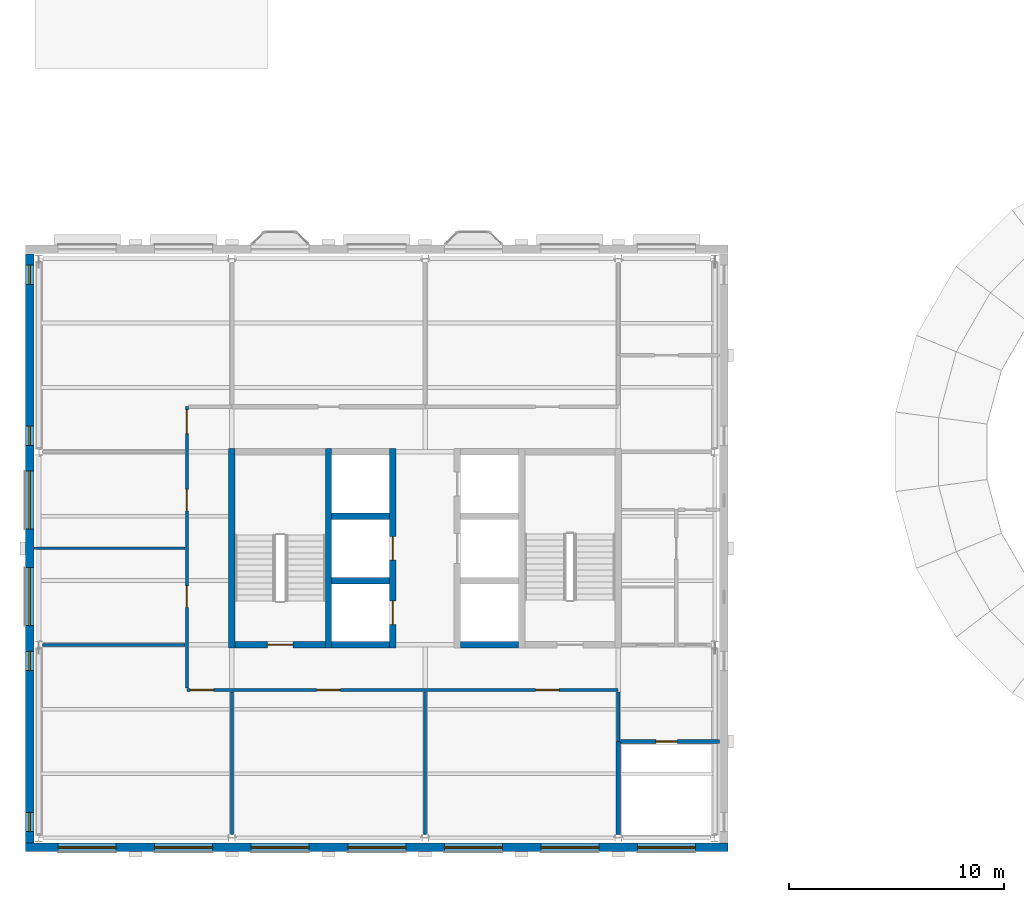
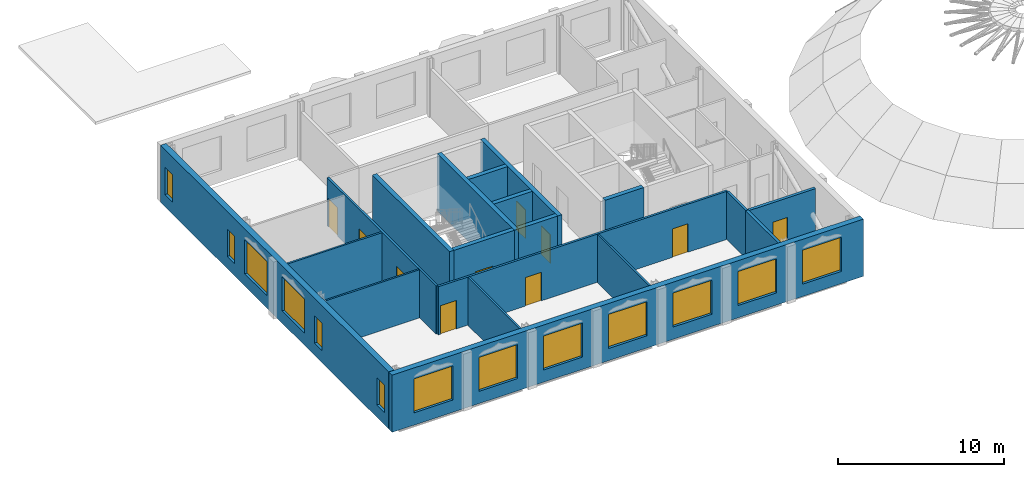
# One storey, part 8 of 15: 19 walls, 13 windows, 10 doors, 23 openings.
"""IFC4 building model written with IfcOpenShell, lengths in metres."""

from ifc_helpers import new_model, si_unit, direction, frame, frame_2d, origin, place, context, subcontext, project, spatial, rectangle, extrude, material, layer, layer_set, type_object, element, fill, save


model = new_model("IFC4")

# Units and contexts
model_context = context("Model", 3, precision=1e-05, world=origin(), true_north=direction((0.0, 1.0)))
body_context = subcontext(model_context, "Body", "Model", "MODEL_VIEW")
ifc_project = project(units=[si_unit("LENGTHUNIT", "METRE"), si_unit("AREAUNIT", "SQUARE_METRE"), si_unit("VOLUMEUNIT", "CUBIC_METRE"), si_unit("PLANEANGLEUNIT", "RADIAN"), si_unit("MASSUNIT", "GRAM", prefix="KILO")], contexts=[model_context])

# Site, building, storey
site_placement = place(None, origin())
site = spatial("IfcSite", under=ifc_project, at=site_placement, CompositionType="ELEMENT")
building_placement = place(site_placement, origin())
building = spatial("IfcBuilding", under=site, at=building_placement, Name="Hortulan Conservatory and Botanical Research Centre", CompositionType="ELEMENT")
storey_placement = place(building_placement, frame((0.0, 0.0, 23.39990234375)))
storey = spatial("IfcBuildingStorey", under=building, at=storey_placement, Name="L05", CompositionType="ELEMENT", Elevation=23.39990234375)

# Wall
ifc_material_1 = material(Name="Fire-rated plasterboard on steel studs", Category="steel")
ifc_layer_1 = layer(ifc_material_1, 0.199951171875)
ifc_layer_set_1 = layer_set([ifc_layer_1], Name="Compartment Partition 200")
wall_type_1 = type_object("IfcWallType", Name="Compartment Partition 200", PredefinedType="PARTITIONING", material=ifc_layer_set_1)
wall_1_placement = place(storey_placement, frame((27.0, 0.173583984375, 0.0), z_axis=(0.0, 0.0, 1.0), x_axis=(0.0, 1.0, 0.0)))
element("IfcWall", 1, at=wall_1_placement, inside=storey, type_object=wall_type_1, Name="Riser wall", PredefinedType="PARTITIONING", context=body_context, shape_type="SweptSolid", body=[
    extrude(rectangle(XDim=4.326416015625, YDim=0.199951171875, at=frame_2d((2.1630859375, 0.0))), origin(), (0.0, 0.0, 1.0), 3.537109375),
])

# Wall, opening, door
wall_2_placement = place(storey_placement, frame((27.110107421875, 4.5, 0.0), z_axis=(0.0, 0.0, 1.0), x_axis=(1.0, 0.0, 0.0)))
wall_2 = element("IfcWall", 2, at=wall_2_placement, inside=storey, type_object=wall_type_1, Name="Riser wall", PredefinedType="PARTITIONING", context=body_context, shape_type="SweptSolid", body=[
    extrude(rectangle(XDim=4.60498046875, YDim=0.199951171875, at=frame_2d((2.302490234375, 0.0))), origin(), (0.0, 0.0, 1.0), 3.537109375),
])
opening_1_placement = place(wall_2_placement, frame((1.639892578125, 0.0, 0.0)))
opening_1 = element("IfcOpeningElement", 3, at=opening_1_placement, cuts=wall_2, Name="Opening DT6", PredefinedType="OPENING", context=body_context, shape_type="SweptSolid", body=[
    extrude(rectangle(XDim=1.0, YDim=2.10009765625, at=frame_2d((0.5, 1.050048828125))), frame((0.0, 0.10986328125, 0.0), z_axis=(0.0, -1.0, 0.0), x_axis=(1.0, 0.0, 0.0)), (0.0, 0.0, 1.0), 0.219970703125),
])
ifc_material_2 = material(Name="Steel door leaf, insulated", Category="steel")
door_type_1 = type_object("IfcDoorType", Name="Fire Door 1000x2100 FRL -/120/30", OperationType="NOTDEFINED", PredefinedType="DOOR", material=ifc_material_2)
door_1_placement = place(opening_1_placement, frame((1.0, 0.0, 0.0), z_axis=(0.0, 0.0, 1.0), x_axis=(-1.0, 0.0, 0.0)))
door_1 = element("IfcDoor", 4, at=door_1_placement, inside=storey, type_object=door_type_1, Name="Door DT6 Services Riser", OperationType="SINGLE_SWING_LEFT", OverallHeight=2.10009765625, OverallWidth=1.0, PredefinedType="DOOR", context=body_context, shape_type="SweptSolid", body=[
    extrude(rectangle(XDim=1.0, YDim=2.10009765625, at=frame_2d((0.5, 1.050048828125))), frame((0.0, 0.02490234375, 0.0), z_axis=(0.0, -1.0, 0.0), x_axis=(1.0, 0.0, 0.0)), (0.0, 0.0, 1.0), 0.050048828125),
])
fill(opening_1, door_1)

# Walls
ifc_material_3 = material(Name="Concrete N50 (50 MPa, AS 3600)", Category="concrete")
ifc_layer_2 = layer(ifc_material_3, 0.300048828125)
ifc_layer_set_2 = layer_set([ifc_layer_2], Name="Core Wall 300 N50 FRL 240/120/120")
wall_type_2 = type_object("IfcWallType", Name="Core Wall 300 N50 FRL 240/120/120", PredefinedType="SHEAR", material=ifc_layer_set_2)
for number, where, z_axis, x_axis, name in (
    (5, (9.0, 8.85009765625, 0.0), (0.0, 0.0, 1.0), (0.0, 1.0, 0.0), "Reinforced concrete shaft wall"),
    (6, (13.5, 8.85009765625, 0.0), (0.0, 0.0, 1.0), (0.0, 1.0, 0.0), "Reinforced concrete shaft wall"),
):
    element("IfcWall", number, at=place(storey_placement, frame(where, z_axis=z_axis, x_axis=x_axis)), inside=storey, type_object=wall_type_2, Name=name, PredefinedType="SHEAR", context=body_context, shape_type="SweptSolid", body=[
        extrude(rectangle(XDim=9.2998046875, YDim=0.300048828125, at=frame_2d((4.64990234375, 0.0))), origin(), (0.0, 0.0, 1.0), 4.2001953125),
    ])

# Wall, openings, doors
wall_3_placement = place(storey_placement, frame((16.5, 8.85009765625, 0.0), z_axis=(0.0, 0.0, 1.0), x_axis=(0.0, 1.0, 0.0)))
wall_3 = element("IfcWall", 7, at=wall_3_placement, inside=storey, type_object=wall_type_2, Name="Reinforced concrete shaft wall", PredefinedType="SHEAR", context=body_context, shape_type="SweptSolid", body=[
    extrude(rectangle(XDim=9.2998046875, YDim=0.300048828125, at=frame_2d((4.64990234375, 0.0))), origin(), (0.0, 0.0, 1.0), 4.2001953125),
])
opening_2_placement = place(wall_3_placement, frame((1.10009765625, 0.0, 0.0)))
opening_2 = element("IfcOpeningElement", 8, at=opening_2_placement, cuts=wall_3, Name="Opening LD1", PredefinedType="OPENING", context=body_context, shape_type="SweptSolid", body=[
    extrude(rectangle(XDim=1.10009765625, YDim=2.10009765625, at=frame_2d((0.550048828125, 1.050048828125))), frame((0.0, 0.159912109375, 0.0), z_axis=(0.0, -1.0, 0.0), x_axis=(1.0, 0.0, 0.0)), (0.0, 0.0, 1.0), 0.320068359375),
])
opening_3_placement = place(wall_3_placement, frame((4.10009765625, 0.0, 0.0)))
opening_3 = element("IfcOpeningElement", 9, at=opening_3_placement, cuts=wall_3, Name="Opening LD1", PredefinedType="OPENING", context=body_context, shape_type="SweptSolid", body=[
    extrude(rectangle(XDim=1.10009765625, YDim=2.10009765625, at=frame_2d((0.550048828125, 1.050048828125))), frame((0.0, 0.159912109375, 0.0), z_axis=(0.0, -1.0, 0.0), x_axis=(1.0, 0.0, 0.0)), (0.0, 0.0, 1.0), 0.320068359375),
])
ifc_material_4 = material(Name="Stainless steel door leaves in steel frame", Category="steel")
door_type_2 = type_object("IfcDoorType", Name="Lift Landing Door 1100x2100", OperationType="DOUBLE_DOOR_SLIDING", PredefinedType="DOOR", material=ifc_material_4)
door_2_placement = place(opening_2_placement, origin())
door_2 = element("IfcDoor", 10, at=door_2_placement, inside=storey, type_object=door_type_2, Name="Lift LP1 landing door L05", OperationType="DOUBLE_DOOR_SLIDING", OverallHeight=2.10009765625, OverallWidth=1.10009765625, PredefinedType="DOOR", context=body_context, shape_type="SweptSolid", body=[
    extrude(rectangle(XDim=1.10009765625, YDim=2.10009765625, at=frame_2d((0.550048828125, 1.050048828125))), frame((0.0, 0.02490234375, 0.0), z_axis=(0.0, -1.0, 0.0), x_axis=(1.0, 0.0, 0.0)), (0.0, 0.0, 1.0), 0.050048828125),
])
fill(opening_2, door_2)
door_3_placement = place(opening_3_placement, origin())
door_3 = element("IfcDoor", 11, at=door_3_placement, inside=storey, type_object=door_type_2, Name="Lift LP2 landing door L05", OperationType="DOUBLE_DOOR_SLIDING", OverallHeight=2.10009765625, OverallWidth=1.10009765625, PredefinedType="DOOR", context=body_context, shape_type="SweptSolid", body=[
    extrude(rectangle(XDim=1.10009765625, YDim=2.10009765625, at=frame_2d((0.550048828125, 1.050048828125))), frame((0.0, 0.02490234375, 0.0), z_axis=(0.0, -1.0, 0.0), x_axis=(1.0, 0.0, 0.0)), (0.0, 0.0, 1.0), 0.050048828125),
])
fill(opening_3, door_3)

# Wall, opening, door
wall_4_placement = place(storey_placement, frame((9.14990234375, 9.0, 0.0), z_axis=(0.0, 0.0, 1.0), x_axis=(1.0, 0.0, 0.0)))
wall_4 = element("IfcWall", 12, at=wall_4_placement, inside=storey, type_object=wall_type_2, Name="Reinforced concrete shaft wall", PredefinedType="SHEAR", context=body_context, shape_type="SweptSolid", body=[
    extrude(rectangle(XDim=4.2001953125, YDim=0.300048828125, at=frame_2d((2.10009765625, 0.0))), origin(), (0.0, 0.0, 1.0), 4.2001953125),
])
opening_4_placement = place(wall_4_placement, frame((1.5, 0.0, 0.0)))
opening_4 = element("IfcOpeningElement", 13, at=opening_4_placement, cuts=wall_4, Name="Opening DT5", PredefinedType="OPENING", context=body_context, shape_type="SweptSolid", body=[
    extrude(rectangle(XDim=1.199951171875, YDim=2.10009765625, at=frame_2d((0.60009765625, 1.050048828125))), frame((0.0, 0.159912109375, 0.0), z_axis=(0.0, -1.0, 0.0), x_axis=(1.0, 0.0, 0.0)), (0.0, 0.0, 1.0), 0.320068359375),
])
door_type_3 = type_object("IfcDoorType", Name="Stair Door 1200x2100 FRL -/120/30", OperationType="NOTDEFINED", PredefinedType="DOOR", material=ifc_material_2)
door_4_placement = place(opening_4_placement, origin())
door_4 = element("IfcDoor", 14, at=door_4_placement, inside=storey, type_object=door_type_3, Name="Door DT5 Exit Stair T1", OperationType="SINGLE_SWING_RIGHT", OverallHeight=2.10009765625, OverallWidth=1.199951171875, PredefinedType="DOOR", context=body_context, shape_type="SweptSolid", body=[
    extrude(rectangle(XDim=1.199951171875, YDim=2.10009765625, at=frame_2d((0.60009765625, 1.050048828125))), frame((0.0, 0.02490234375, 0.0), z_axis=(0.0, -1.0, 0.0), x_axis=(1.0, 0.0, 0.0)), (0.0, 0.0, 1.0), 0.050048828125),
])
fill(opening_4, door_4)

# Walls
for number, where, z_axis, x_axis, name in (
    (15, (13.64990234375, 9.0, 0.0), (0.0, 0.0, 1.0), (1.0, 0.0, 0.0), "Reinforced concrete shaft wall"),
    (16, (19.64990234375, 9.0, 0.0), (0.0, 0.0, 1.0), (1.0, 0.0, 0.0), "Reinforced concrete shaft wall"),
    (17, (13.64990234375, 12.0, 0.0), (0.0, 0.0, 1.0), (1.0, 0.0, 0.0), "Reinforced concrete shaft wall"),
    (18, (13.64990234375, 15.0, 0.0), (0.0, 0.0, 1.0), (1.0, 0.0, 0.0), "Reinforced concrete shaft wall"),
):
    element("IfcWall", number, at=place(storey_placement, frame(where, z_axis=z_axis, x_axis=x_axis)), inside=storey, type_object=wall_type_2, Name=name, PredefinedType="SHEAR", context=body_context, shape_type="SweptSolid", body=[
        extrude(rectangle(XDim=2.7001953125, YDim=0.300048828125, at=frame_2d((1.35009765625, 0.0))), origin(), (0.0, 0.0, 1.0), 4.2001953125),
    ])

# Wall, openings, doors
ifc_material_5 = material(Name="Plasterboard on steel studs", Category="steel")
ifc_layer_3 = layer(ifc_material_5, 0.14990234375)
ifc_layer_set_3 = layer_set([ifc_layer_3], Name="Corridor Partition 150")
wall_type_3 = type_object("IfcWallType", Name="Corridor Partition 150", PredefinedType="PARTITIONING", material=ifc_layer_set_3)
wall_5_placement = place(storey_placement, frame((6.89990234375, 6.985107421875, 0.0), z_axis=(0.0, 0.0, 1.0), x_axis=(0.0, 1.0, 0.0)))
wall_5 = element("IfcWall", 19, at=wall_5_placement, inside=storey, type_object=wall_type_3, Name="Corridor partition", PredefinedType="PARTITIONING", context=body_context, shape_type="SweptSolid", body=[
    extrude(rectangle(XDim=13.114990234375, YDim=0.14990234375, at=frame_2d((6.5576171875, 0.0))), origin(), (0.0, 0.0, 1.0), 3.537109375),
])
opening_5_placement = place(wall_5_placement, frame((11.864990234375, 0.0, 0.0)))
opening_5 = element("IfcOpeningElement", 20, at=opening_5_placement, cuts=wall_5, Name="Opening DT3", PredefinedType="OPENING", context=body_context, shape_type="SweptSolid", body=[
    extrude(rectangle(XDim=1.10009765625, YDim=2.10009765625, at=frame_2d((0.550048828125, 1.050048828125))), frame((0.0, 0.0849609375, 0.0), z_axis=(0.0, -1.0, 0.0), x_axis=(1.0, 0.0, 0.0)), (0.0, 0.0, 1.0), 0.169921875),
])
opening_6_placement = place(wall_5_placement, frame((3.764892578125, 0.0, 0.0)))
opening_6 = element("IfcOpeningElement", 21, at=opening_6_placement, cuts=wall_5, Name="Opening DT1", PredefinedType="OPENING", context=body_context, shape_type="SweptSolid", body=[
    extrude(rectangle(XDim=1.0, YDim=2.10009765625, at=frame_2d((0.5, 1.050048828125))), frame((0.0, 0.0849609375, 0.0), z_axis=(0.0, -1.0, 0.0), x_axis=(1.0, 0.0, 0.0)), (0.0, 0.0, 1.0), 0.169921875),
])
opening_7_placement = place(wall_5_placement, frame((8.264892578125, 0.0, 0.0)))
opening_7 = element("IfcOpeningElement", 22, at=opening_7_placement, cuts=wall_5, Name="Opening DT1", PredefinedType="OPENING", context=body_context, shape_type="SweptSolid", body=[
    extrude(rectangle(XDim=1.0, YDim=2.10009765625, at=frame_2d((0.5, 1.050048828125))), frame((0.0, 0.0849609375, 0.0), z_axis=(0.0, -1.0, 0.0), x_axis=(1.0, 0.0, 0.0)), (0.0, 0.0, 1.0), 0.169921875),
])
ifc_material_6 = material(Name="Timber door leaf with vision panel", Category="wood")
door_type_4 = type_object("IfcDoorType", Name="Laboratory Door 1100x2100", OperationType="NOTDEFINED", PredefinedType="DOOR", material=ifc_material_6)
door_5_placement = place(opening_5_placement, origin())
door_5 = element("IfcDoor", 23, at=door_5_placement, inside=storey, type_object=door_type_4, Name="Door DT3 Growth Chamber Room", OperationType="SINGLE_SWING_RIGHT", OverallHeight=2.10009765625, OverallWidth=1.10009765625, PredefinedType="DOOR", context=body_context, shape_type="SweptSolid", body=[
    extrude(rectangle(XDim=1.10009765625, YDim=2.10009765625, at=frame_2d((0.550048828125, 1.050048828125))), frame((0.0, 0.02490234375, 0.0), z_axis=(0.0, -1.0, 0.0), x_axis=(1.0, 0.0, 0.0)), (0.0, 0.0, 1.0), 0.050048828125),
])
fill(opening_5, door_5)
ifc_material_7 = material(Name="Timber door leaf in timber frame", Category="wood")
door_type_5 = type_object("IfcDoorType", Name="Single Door 1000x2100", OperationType="NOTDEFINED", PredefinedType="DOOR", material=ifc_material_7)
door_6_placement = place(opening_6_placement, origin())
door_6 = element("IfcDoor", 24, at=door_6_placement, inside=storey, type_object=door_type_5, Name="Door DT1 Staff Meeting Room", OperationType="SINGLE_SWING_LEFT", OverallHeight=2.10009765625, OverallWidth=1.0, PredefinedType="DOOR", context=body_context, shape_type="SweptSolid", body=[
    extrude(rectangle(XDim=1.0, YDim=2.10009765625, at=frame_2d((0.5, 1.050048828125))), frame((0.0, 0.02490234375, 0.0), z_axis=(0.0, -1.0, 0.0), x_axis=(1.0, 0.0, 0.0)), (0.0, 0.0, 1.0), 0.050048828125),
])
fill(opening_6, door_6)
door_7_placement = place(opening_7_placement, origin())
door_7 = element("IfcDoor", 25, at=door_7_placement, inside=storey, type_object=door_type_5, Name="Door DT1 Equipment Store", OperationType="SINGLE_SWING_RIGHT", OverallHeight=2.10009765625, OverallWidth=1.0, PredefinedType="DOOR", context=body_context, shape_type="SweptSolid", body=[
    extrude(rectangle(XDim=1.0, YDim=2.10009765625, at=frame_2d((0.5, 1.050048828125))), frame((0.0, 0.02490234375, 0.0), z_axis=(0.0, -1.0, 0.0), x_axis=(1.0, 0.0, 0.0)), (0.0, 0.0, 1.0), 0.050048828125),
])
fill(opening_7, door_7)

# Wall
wall_6_placement = place(storey_placement, frame((27.0, 4.510009765625, 0.0), z_axis=(0.0, 0.0, 1.0), x_axis=(0.0, 1.0, 0.0)))
element("IfcWall", 26, at=wall_6_placement, inside=storey, type_object=wall_type_3, Name="Corridor partition", PredefinedType="PARTITIONING", context=body_context, shape_type="SweptSolid", body=[
    extrude(rectangle(XDim=2.304931640625, YDim=0.14990234375, at=frame_2d((1.15234375, 0.0))), origin(), (0.0, 0.0, 1.0), 3.537109375),
])

# Wall, openings, doors
wall_7_placement = place(storey_placement, frame((6.89990234375, 6.89990234375, 0.0), z_axis=(0.0, 0.0, 1.0), x_axis=(1.0, 0.0, 0.0)))
wall_7 = element("IfcWall", 27, at=wall_7_placement, inside=storey, type_object=wall_type_3, Name="Corridor partition", PredefinedType="PARTITIONING", context=body_context, shape_type="SweptSolid", body=[
    extrude(rectangle(XDim=20.10009765625, YDim=0.14990234375, at=frame_2d((10.050048828125, 0.0))), origin(), (0.0, 0.0, 1.0), 3.537109375),
])
opening_8_placement = place(wall_7_placement, frame((0.14990234375, 0.0, 0.0)))
opening_8 = element("IfcOpeningElement", 28, at=opening_8_placement, cuts=wall_7, Name="Opening DT3", PredefinedType="OPENING", context=body_context, shape_type="SweptSolid", body=[
    extrude(rectangle(XDim=1.10009765625, YDim=2.10009765625, at=frame_2d((0.550048828125, 1.050048828125))), frame((0.0, 0.0849609375, 0.0), z_axis=(0.0, -1.0, 0.0), x_axis=(1.0, 0.0, 0.0)), (0.0, 0.0, 1.0), 0.169921875),
])
opening_9_placement = place(wall_7_placement, frame((6.050048828125, 0.0, 0.0)))
opening_9 = element("IfcOpeningElement", 29, at=opening_9_placement, cuts=wall_7, Name="Opening DT3", PredefinedType="OPENING", context=body_context, shape_type="SweptSolid", body=[
    extrude(rectangle(XDim=1.10009765625, YDim=2.10009765625, at=frame_2d((0.550048828125, 1.050048828125))), frame((0.0, 0.0849609375, 0.0), z_axis=(0.0, -1.0, 0.0), x_axis=(1.0, 0.0, 0.0)), (0.0, 0.0, 1.0), 0.169921875),
])
opening_10_placement = place(wall_7_placement, frame((16.25, 0.0, 0.0)))
opening_10 = element("IfcOpeningElement", 30, at=opening_10_placement, cuts=wall_7, Name="Opening DT3", PredefinedType="OPENING", context=body_context, shape_type="SweptSolid", body=[
    extrude(rectangle(XDim=1.10009765625, YDim=2.10009765625, at=frame_2d((0.550048828125, 1.050048828125))), frame((0.0, 0.0849609375, 0.0), z_axis=(0.0, -1.0, 0.0), x_axis=(1.0, 0.0, 0.0)), (0.0, 0.0, 1.0), 0.169921875),
])
door_8_placement = place(opening_8_placement, frame((1.10009765625, 0.0, 0.0), z_axis=(0.0, 0.0, 1.0), x_axis=(-1.0, 0.0, 0.0)))
door_8 = element("IfcDoor", 31, at=door_8_placement, inside=storey, type_object=door_type_4, Name="Door DT3 Chemistry Laboratory", OperationType="SINGLE_SWING_RIGHT", OverallHeight=2.10009765625, OverallWidth=1.10009765625, PredefinedType="DOOR", context=body_context, shape_type="SweptSolid", body=[
    extrude(rectangle(XDim=1.10009765625, YDim=2.10009765625, at=frame_2d((0.550048828125, 1.050048828125))), frame((0.0, 0.02490234375, 0.0), z_axis=(0.0, -1.0, 0.0), x_axis=(1.0, 0.0, 0.0)), (0.0, 0.0, 1.0), 0.050048828125),
])
fill(opening_8, door_8)
door_9_placement = place(opening_9_placement, frame((1.10009765625, 0.0, 0.0), z_axis=(0.0, 0.0, 1.0), x_axis=(-1.0, 0.0, 0.0)))
door_9 = element("IfcDoor", 32, at=door_9_placement, inside=storey, type_object=door_type_4, Name="Door DT3 Phytochemistry Laboratory", OperationType="SINGLE_SWING_LEFT", OverallHeight=2.10009765625, OverallWidth=1.10009765625, PredefinedType="DOOR", context=body_context, shape_type="SweptSolid", body=[
    extrude(rectangle(XDim=1.10009765625, YDim=2.10009765625, at=frame_2d((0.550048828125, 1.050048828125))), frame((0.0, 0.02490234375, 0.0), z_axis=(0.0, -1.0, 0.0), x_axis=(1.0, 0.0, 0.0)), (0.0, 0.0, 1.0), 0.050048828125),
])
fill(opening_9, door_9)
door_10_placement = place(opening_10_placement, frame((1.10009765625, 0.0, 0.0), z_axis=(0.0, 0.0, 1.0), x_axis=(-1.0, 0.0, 0.0)))
door_10 = element("IfcDoor", 33, at=door_10_placement, inside=storey, type_object=door_type_4, Name="Door DT3 Ecology Laboratory", OperationType="SINGLE_SWING_RIGHT", OverallHeight=2.10009765625, OverallWidth=1.10009765625, PredefinedType="DOOR", context=body_context, shape_type="SweptSolid", body=[
    extrude(rectangle(XDim=1.10009765625, YDim=2.10009765625, at=frame_2d((0.550048828125, 1.050048828125))), frame((0.0, 0.02490234375, 0.0), z_axis=(0.0, -1.0, 0.0), x_axis=(1.0, 0.0, 0.0)), (0.0, 0.0, 1.0), 0.050048828125),
])
fill(opening_10, door_10)

# Wall, openings, windows
ifc_material_8 = material(Name="Faience-faced brickwork masonry", Category="masonry")
ifc_layer_4 = layer(ifc_material_8, 0.39990234375)
ifc_layer_set_4 = layer_set([ifc_layer_4], Name="Faience-faced Masonry Cavity Wall 400")
wall_type_4 = type_object("IfcWallType", Name="Faience-faced Masonry Cavity Wall 400", PredefinedType="STANDARD", material=ifc_layer_set_4)
wall_8_placement = place(storey_placement, frame((32.125, -0.43603515625, 0.0), z_axis=(0.0, 0.0, 1.0), x_axis=(-1.0, 0.0, 0.0)))
wall_8 = element("IfcWall", 34, at=wall_8_placement, inside=storey, type_object=wall_type_4, Name="E-EW-TW-L05-S1", PredefinedType="STANDARD", context=body_context, shape_type="SweptSolid", body=[
    extrude(rectangle(XDim=32.75, YDim=0.39990234375, at=frame_2d((16.375, 0.0))), origin(), (0.0, 0.0, 1.0), 4.2001953125),
])
opening_11_placement = place(wall_8_placement, frame((28.52490234375, 0.0, 0.89990234375)))
opening_11 = element("IfcOpeningElement", 35, at=opening_11_placement, cuts=wall_8, Name="Opening W4", PredefinedType="OPENING", context=body_context, shape_type="SweptSolid", body=[
    extrude(rectangle(XDim=2.699951171875, YDim=2.5, at=frame_2d((1.35009765625, 1.25))), frame((0.0, 0.2099609375, 0.0), z_axis=(0.0, -1.0, 0.0), x_axis=(1.0, 0.0, 0.0)), (0.0, 0.0, 1.0), 0.419921875),
])
opening_12_placement = place(wall_8_placement, frame((24.02490234375, 0.0, 0.89990234375)))
opening_12 = element("IfcOpeningElement", 36, at=opening_12_placement, cuts=wall_8, Name="Opening W4", PredefinedType="OPENING", context=body_context, shape_type="SweptSolid", body=[
    extrude(rectangle(XDim=2.699951171875, YDim=2.5, at=frame_2d((1.35009765625, 1.25))), frame((0.0, 0.2099609375, 0.0), z_axis=(0.0, -1.0, 0.0), x_axis=(1.0, 0.0, 0.0)), (0.0, 0.0, 1.0), 0.419921875),
])
opening_13_placement = place(wall_8_placement, frame((19.52490234375, 0.0, 0.89990234375)))
opening_13 = element("IfcOpeningElement", 37, at=opening_13_placement, cuts=wall_8, Name="Opening W4", PredefinedType="OPENING", context=body_context, shape_type="SweptSolid", body=[
    extrude(rectangle(XDim=2.699951171875, YDim=2.5, at=frame_2d((1.35009765625, 1.25))), frame((0.0, 0.2099609375, 0.0), z_axis=(0.0, -1.0, 0.0), x_axis=(1.0, 0.0, 0.0)), (0.0, 0.0, 1.0), 0.419921875),
])
opening_14_placement = place(wall_8_placement, frame((15.02490234375, 0.0, 0.89990234375)))
opening_14 = element("IfcOpeningElement", 38, at=opening_14_placement, cuts=wall_8, Name="Opening W4", PredefinedType="OPENING", context=body_context, shape_type="SweptSolid", body=[
    extrude(rectangle(XDim=2.699951171875, YDim=2.5, at=frame_2d((1.35009765625, 1.25))), frame((0.0, 0.2099609375, 0.0), z_axis=(0.0, -1.0, 0.0), x_axis=(1.0, 0.0, 0.0)), (0.0, 0.0, 1.0), 0.419921875),
])
opening_15_placement = place(wall_8_placement, frame((10.52490234375, 0.0, 0.89990234375)))
opening_15 = element("IfcOpeningElement", 39, at=opening_15_placement, cuts=wall_8, Name="Opening W4", PredefinedType="OPENING", context=body_context, shape_type="SweptSolid", body=[
    extrude(rectangle(XDim=2.699951171875, YDim=2.5, at=frame_2d((1.35009765625, 1.25))), frame((0.0, 0.2099609375, 0.0), z_axis=(0.0, -1.0, 0.0), x_axis=(1.0, 0.0, 0.0)), (0.0, 0.0, 1.0), 0.419921875),
])
opening_16_placement = place(wall_8_placement, frame((6.02490234375, 0.0, 0.89990234375)))
opening_16 = element("IfcOpeningElement", 40, at=opening_16_placement, cuts=wall_8, Name="Opening W4", PredefinedType="OPENING", context=body_context, shape_type="SweptSolid", body=[
    extrude(rectangle(XDim=2.699951171875, YDim=2.5, at=frame_2d((1.35009765625, 1.25))), frame((0.0, 0.2099609375, 0.0), z_axis=(0.0, -1.0, 0.0), x_axis=(1.0, 0.0, 0.0)), (0.0, 0.0, 1.0), 0.419921875),
])
opening_17_placement = place(wall_8_placement, frame((1.52490234375, 0.0, 0.89990234375)))
opening_17 = element("IfcOpeningElement", 41, at=opening_17_placement, cuts=wall_8, Name="Opening W4", PredefinedType="OPENING", context=body_context, shape_type="SweptSolid", body=[
    extrude(rectangle(XDim=2.699951171875, YDim=2.5, at=frame_2d((1.35009765625, 1.25))), frame((0.0, 0.2099609375, 0.0), z_axis=(0.0, -1.0, 0.0), x_axis=(1.0, 0.0, 0.0)), (0.0, 0.0, 1.0), 0.419921875),
])
ifc_material_9 = material(Name="Bronze-finished aluminium frame with low-e laminated double glazing", Category="aluminium")
window_type_1 = type_object("IfcWindowType", Name="Faience Window 2700x2500", PartitioningType="SINGLE_PANEL", PredefinedType="WINDOW", material=ifc_material_9)
window_1_placement = place(opening_11_placement, origin())
window_1 = element("IfcWindow", 42, at=window_1_placement, inside=storey, type_object=window_type_1, Name="Faience window", OverallHeight=2.5, OverallWidth=2.699951171875, PartitioningType="SINGLE_PANEL", PredefinedType="WINDOW", context=body_context, shape_type="SweptSolid", body=[
    extrude(rectangle(XDim=2.699951171875, YDim=2.5, at=frame_2d((1.35009765625, 1.25))), frame((0.0, 0.030029296875, 0.0), z_axis=(0.0, -1.0, 0.0), x_axis=(1.0, 0.0, 0.0)), (0.0, 0.0, 1.0), 0.06005859375),
])
fill(opening_11, window_1)
window_2_placement = place(opening_12_placement, origin())
window_2 = element("IfcWindow", 43, at=window_2_placement, inside=storey, type_object=window_type_1, Name="Faience window", OverallHeight=2.5, OverallWidth=2.699951171875, PartitioningType="SINGLE_PANEL", PredefinedType="WINDOW", context=body_context, shape_type="SweptSolid", body=[
    extrude(rectangle(XDim=2.699951171875, YDim=2.5, at=frame_2d((1.35009765625, 1.25))), frame((0.0, 0.030029296875, 0.0), z_axis=(0.0, -1.0, 0.0), x_axis=(1.0, 0.0, 0.0)), (0.0, 0.0, 1.0), 0.06005859375),
])
fill(opening_12, window_2)
window_3_placement = place(opening_13_placement, origin())
window_3 = element("IfcWindow", 44, at=window_3_placement, inside=storey, type_object=window_type_1, Name="Faience window", OverallHeight=2.5, OverallWidth=2.699951171875, PartitioningType="SINGLE_PANEL", PredefinedType="WINDOW", context=body_context, shape_type="SweptSolid", body=[
    extrude(rectangle(XDim=2.699951171875, YDim=2.5, at=frame_2d((1.35009765625, 1.25))), frame((0.0, 0.030029296875, 0.0), z_axis=(0.0, -1.0, 0.0), x_axis=(1.0, 0.0, 0.0)), (0.0, 0.0, 1.0), 0.06005859375),
])
fill(opening_13, window_3)
window_4_placement = place(opening_14_placement, origin())
window_4 = element("IfcWindow", 45, at=window_4_placement, inside=storey, type_object=window_type_1, Name="Faience window", OverallHeight=2.5, OverallWidth=2.699951171875, PartitioningType="SINGLE_PANEL", PredefinedType="WINDOW", context=body_context, shape_type="SweptSolid", body=[
    extrude(rectangle(XDim=2.699951171875, YDim=2.5, at=frame_2d((1.35009765625, 1.25))), frame((0.0, 0.030029296875, 0.0), z_axis=(0.0, -1.0, 0.0), x_axis=(1.0, 0.0, 0.0)), (0.0, 0.0, 1.0), 0.06005859375),
])
fill(opening_14, window_4)
window_5_placement = place(opening_15_placement, origin())
window_5 = element("IfcWindow", 46, at=window_5_placement, inside=storey, type_object=window_type_1, Name="Faience window", OverallHeight=2.5, OverallWidth=2.699951171875, PartitioningType="SINGLE_PANEL", PredefinedType="WINDOW", context=body_context, shape_type="SweptSolid", body=[
    extrude(rectangle(XDim=2.699951171875, YDim=2.5, at=frame_2d((1.35009765625, 1.25))), frame((0.0, 0.030029296875, 0.0), z_axis=(0.0, -1.0, 0.0), x_axis=(1.0, 0.0, 0.0)), (0.0, 0.0, 1.0), 0.06005859375),
])
fill(opening_15, window_5)
window_6_placement = place(opening_16_placement, origin())
window_6 = element("IfcWindow", 47, at=window_6_placement, inside=storey, type_object=window_type_1, Name="Faience window", OverallHeight=2.5, OverallWidth=2.699951171875, PartitioningType="SINGLE_PANEL", PredefinedType="WINDOW", context=body_context, shape_type="SweptSolid", body=[
    extrude(rectangle(XDim=2.699951171875, YDim=2.5, at=frame_2d((1.35009765625, 1.25))), frame((0.0, 0.030029296875, 0.0), z_axis=(0.0, -1.0, 0.0), x_axis=(1.0, 0.0, 0.0)), (0.0, 0.0, 1.0), 0.06005859375),
])
fill(opening_16, window_6)
window_7_placement = place(opening_17_placement, origin())
window_7 = element("IfcWindow", 48, at=window_7_placement, inside=storey, type_object=window_type_1, Name="Faience window", OverallHeight=2.5, OverallWidth=2.699951171875, PartitioningType="SINGLE_PANEL", PredefinedType="WINDOW", context=body_context, shape_type="SweptSolid", body=[
    extrude(rectangle(XDim=2.699951171875, YDim=2.5, at=frame_2d((1.35009765625, 1.25))), frame((0.0, 0.030029296875, 0.0), z_axis=(0.0, -1.0, 0.0), x_axis=(1.0, 0.0, 0.0)), (0.0, 0.0, 1.0), 0.06005859375),
])
fill(opening_17, window_7)

wall_9_placement = place(storey_placement, frame((-0.425048828125, -0.22509765625, 0.0), z_axis=(0.0, 0.0, 1.0), x_axis=(0.0, 1.0, 0.0)))
wall_9 = element("IfcWall", 49, at=wall_9_placement, inside=storey, type_object=wall_type_4, Name="E-EW-TW-L05-W2", PredefinedType="STANDARD", context=body_context, shape_type="SweptSolid", body=[
    extrude(rectangle(XDim=27.4501953125, YDim=0.39990234375, at=frame_2d((13.72509765625, 0.0))), origin(), (0.0, 0.0, 1.0), 4.2001953125),
])
opening_18_placement = place(wall_9_placement, frame((0.52490234375, 0.0, 0.89990234375)))
opening_18 = element("IfcOpeningElement", 50, at=opening_18_placement, cuts=wall_9, Name="Opening W5", PredefinedType="OPENING", context=body_context, shape_type="SweptSolid", body=[
    extrude(rectangle(XDim=0.89990234375, YDim=2.0, at=frame_2d((0.449951171875, 1.0))), frame((0.0, 0.2099609375, 0.0), z_axis=(0.0, -1.0, 0.0), x_axis=(1.0, 0.0, 0.0)), (0.0, 0.0, 1.0), 0.419921875),
])
opening_19_placement = place(wall_9_placement, frame((8.02490234375, 0.0, 0.89990234375)))
opening_19 = element("IfcOpeningElement", 51, at=opening_19_placement, cuts=wall_9, Name="Opening W5", PredefinedType="OPENING", context=body_context, shape_type="SweptSolid", body=[
    extrude(rectangle(XDim=0.89990234375, YDim=2.0, at=frame_2d((0.449951171875, 1.0))), frame((0.0, 0.2099609375, 0.0), z_axis=(0.0, -1.0, 0.0), x_axis=(1.0, 0.0, 0.0)), (0.0, 0.0, 1.0), 0.419921875),
])
opening_20_placement = place(wall_9_placement, frame((10.125, 0.0, 0.89990234375)))
opening_20 = element("IfcOpeningElement", 52, at=opening_20_placement, cuts=wall_9, Name="Opening W4", PredefinedType="OPENING", context=body_context, shape_type="SweptSolid", body=[
    extrude(rectangle(XDim=2.699951171875, YDim=2.5, at=frame_2d((1.35009765625, 1.25))), frame((0.0, 0.2099609375, 0.0), z_axis=(0.0, -1.0, 0.0), x_axis=(1.0, 0.0, 0.0)), (0.0, 0.0, 1.0), 0.419921875),
])
opening_21_placement = place(wall_9_placement, frame((14.625, 0.0, 0.89990234375)))
opening_21 = element("IfcOpeningElement", 53, at=opening_21_placement, cuts=wall_9, Name="Opening W4", PredefinedType="OPENING", context=body_context, shape_type="SweptSolid", body=[
    extrude(rectangle(XDim=2.699951171875, YDim=2.5, at=frame_2d((1.35009765625, 1.25))), frame((0.0, 0.2099609375, 0.0), z_axis=(0.0, -1.0, 0.0), x_axis=(1.0, 0.0, 0.0)), (0.0, 0.0, 1.0), 0.419921875),
])
opening_22_placement = place(wall_9_placement, frame((18.52490234375, 0.0, 0.89990234375)))
opening_22 = element("IfcOpeningElement", 54, at=opening_22_placement, cuts=wall_9, Name="Opening W5", PredefinedType="OPENING", context=body_context, shape_type="SweptSolid", body=[
    extrude(rectangle(XDim=0.89990234375, YDim=2.0, at=frame_2d((0.449951171875, 1.0))), frame((0.0, 0.2099609375, 0.0), z_axis=(0.0, -1.0, 0.0), x_axis=(1.0, 0.0, 0.0)), (0.0, 0.0, 1.0), 0.419921875),
])
opening_23_placement = place(wall_9_placement, frame((26.02490234375, 0.0, 0.89990234375)))
opening_23 = element("IfcOpeningElement", 55, at=opening_23_placement, cuts=wall_9, Name="Opening W5", PredefinedType="OPENING", context=body_context, shape_type="SweptSolid", body=[
    extrude(rectangle(XDim=0.89990234375, YDim=2.0, at=frame_2d((0.449951171875, 1.0))), frame((0.0, 0.2099609375, 0.0), z_axis=(0.0, -1.0, 0.0), x_axis=(1.0, 0.0, 0.0)), (0.0, 0.0, 1.0), 0.419921875),
])
window_type_2 = type_object("IfcWindowType", Name="Faience Pier Window 900x2000", PartitioningType="SINGLE_PANEL", PredefinedType="WINDOW", material=ifc_material_9)
window_8_placement = place(opening_18_placement, origin())
window_8 = element("IfcWindow", 56, at=window_8_placement, inside=storey, type_object=window_type_2, Name="Faience Pier window", OverallHeight=2.0, OverallWidth=0.89990234375, PartitioningType="SINGLE_PANEL", PredefinedType="WINDOW", context=body_context, shape_type="SweptSolid", body=[
    extrude(rectangle(XDim=0.89990234375, YDim=2.0, at=frame_2d((0.449951171875, 1.0))), frame((0.0, 0.030029296875, 0.0), z_axis=(0.0, -1.0, 0.0), x_axis=(1.0, 0.0, 0.0)), (0.0, 0.0, 1.0), 0.06005859375),
])
fill(opening_18, window_8)
window_9_placement = place(opening_19_placement, origin())
window_9 = element("IfcWindow", 57, at=window_9_placement, inside=storey, type_object=window_type_2, Name="Faience Pier window", OverallHeight=2.0, OverallWidth=0.89990234375, PartitioningType="SINGLE_PANEL", PredefinedType="WINDOW", context=body_context, shape_type="SweptSolid", body=[
    extrude(rectangle(XDim=0.89990234375, YDim=2.0, at=frame_2d((0.449951171875, 1.0))), frame((0.0, 0.030029296875, 0.0), z_axis=(0.0, -1.0, 0.0), x_axis=(1.0, 0.0, 0.0)), (0.0, 0.0, 1.0), 0.06005859375),
])
fill(opening_19, window_9)
window_10_placement = place(opening_22_placement, origin())
window_10 = element("IfcWindow", 58, at=window_10_placement, inside=storey, type_object=window_type_2, Name="Faience Pier window", OverallHeight=2.0, OverallWidth=0.89990234375, PartitioningType="SINGLE_PANEL", PredefinedType="WINDOW", context=body_context, shape_type="SweptSolid", body=[
    extrude(rectangle(XDim=0.89990234375, YDim=2.0, at=frame_2d((0.449951171875, 1.0))), frame((0.0, 0.030029296875, 0.0), z_axis=(0.0, -1.0, 0.0), x_axis=(1.0, 0.0, 0.0)), (0.0, 0.0, 1.0), 0.06005859375),
])
fill(opening_22, window_10)
window_11_placement = place(opening_23_placement, origin())
window_11 = element("IfcWindow", 59, at=window_11_placement, inside=storey, type_object=window_type_2, Name="Faience Pier window", OverallHeight=2.0, OverallWidth=0.89990234375, PartitioningType="SINGLE_PANEL", PredefinedType="WINDOW", context=body_context, shape_type="SweptSolid", body=[
    extrude(rectangle(XDim=0.89990234375, YDim=2.0, at=frame_2d((0.449951171875, 1.0))), frame((0.0, 0.030029296875, 0.0), z_axis=(0.0, -1.0, 0.0), x_axis=(1.0, 0.0, 0.0)), (0.0, 0.0, 1.0), 0.06005859375),
])
fill(opening_23, window_11)
window_12_placement = place(opening_20_placement, origin())
window_12 = element("IfcWindow", 60, at=window_12_placement, inside=storey, type_object=window_type_1, Name="Faience window", OverallHeight=2.5, OverallWidth=2.699951171875, PartitioningType="SINGLE_PANEL", PredefinedType="WINDOW", context=body_context, shape_type="SweptSolid", body=[
    extrude(rectangle(XDim=2.699951171875, YDim=2.5, at=frame_2d((1.35009765625, 1.25))), frame((0.0, 0.030029296875, 0.0), z_axis=(0.0, -1.0, 0.0), x_axis=(1.0, 0.0, 0.0)), (0.0, 0.0, 1.0), 0.06005859375),
])
fill(opening_20, window_12)
window_13_placement = place(opening_21_placement, origin())
window_13 = element("IfcWindow", 61, at=window_13_placement, inside=storey, type_object=window_type_1, Name="Faience window", OverallHeight=2.5, OverallWidth=2.699951171875, PartitioningType="SINGLE_PANEL", PredefinedType="WINDOW", context=body_context, shape_type="SweptSolid", body=[
    extrude(rectangle(XDim=2.699951171875, YDim=2.5, at=frame_2d((1.35009765625, 1.25))), frame((0.0, 0.030029296875, 0.0), z_axis=(0.0, -1.0, 0.0), x_axis=(1.0, 0.0, 0.0)), (0.0, 0.0, 1.0), 0.06005859375),
])
fill(opening_21, window_13)

# Walls
ifc_layer_5 = layer(ifc_material_5, 0.125)
ifc_layer_set_5 = layer_set([ifc_layer_5], Name="Partition 125")
wall_type_5 = type_object("IfcWallType", Name="Partition 125", PredefinedType="PARTITIONING", material=ifc_layer_set_5)
for number, where, z_axis, x_axis, name in (
    (62, (9.0, 0.173583984375, 0.0), (0.0, 0.0, 1.0), (0.0, 1.0, 0.0), "Partition"),
    (63, (18.0, 0.173583984375, 0.0), (0.0, 0.0, 1.0), (0.0, 1.0, 0.0), "Partition"),
):
    element("IfcWall", number, at=place(storey_placement, frame(where, z_axis=z_axis, x_axis=x_axis)), inside=storey, type_object=wall_type_5, Name=name, PredefinedType="PARTITIONING", context=body_context, shape_type="SweptSolid", body=[
        extrude(rectangle(XDim=6.641357421875, YDim=0.125, at=frame_2d((3.32080078125, 0.0))), origin(), (0.0, 0.0, 1.0), 3.537109375),
    ])
wall_10_placement = place(storey_placement, frame((0.16552734375, 9.0, 0.0), z_axis=(0.0, 0.0, 1.0), x_axis=(1.0, 0.0, 0.0)))
element("IfcWall", 64, at=wall_10_placement, inside=storey, type_object=wall_type_5, Name="Partition", PredefinedType="PARTITIONING", context=body_context, shape_type="SweptSolid", body=[
    extrude(rectangle(XDim=6.6494140625, YDim=0.125, at=frame_2d((3.32470703125, 0.0))), origin(), (0.0, 0.0, 1.0), 3.537109375),
])
wall_11_placement = place(storey_placement, frame((-0.215087890625, 13.5, 0.0), z_axis=(0.0, 0.0, 1.0), x_axis=(1.0, 0.0, 0.0)))
element("IfcWall", 65, at=wall_11_placement, inside=storey, type_object=wall_type_5, Name="Partition", PredefinedType="PARTITIONING", context=body_context, shape_type="SweptSolid", body=[
    extrude(rectangle(XDim=7.030029296875, YDim=0.125, at=frame_2d((3.51513671875, 0.0))), origin(), (0.0, 0.0, 1.0), 3.537109375),
])

save(model, "model.ifc")
